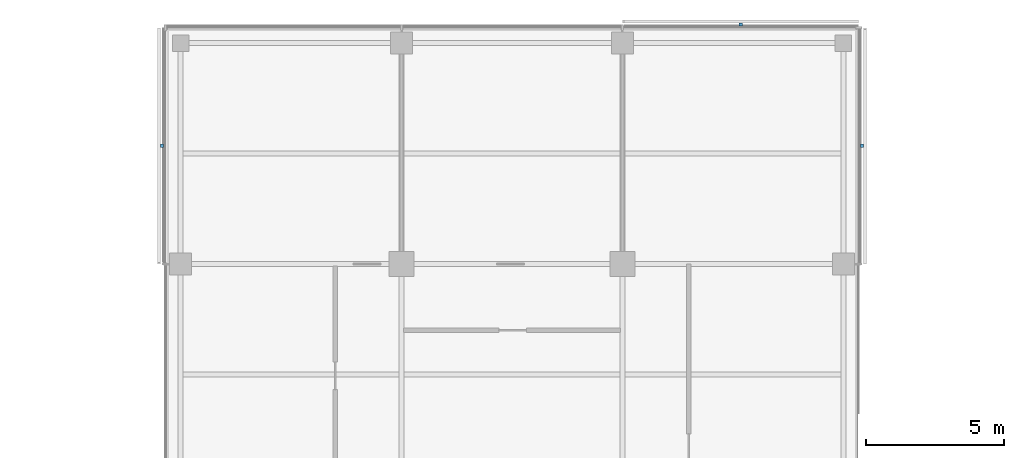
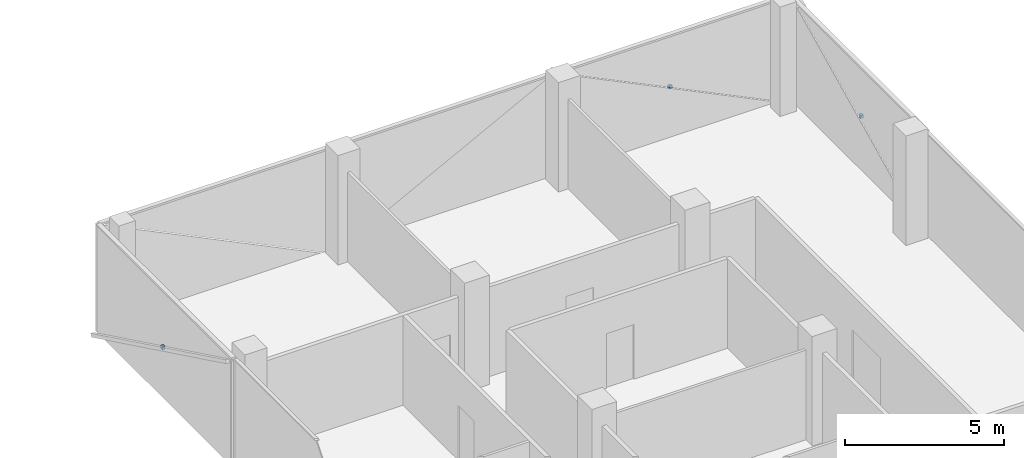
# One storey, part 14 of 15: 3 discrete accessories.
"""IFC4 building model written with IfcOpenShell, lengths in metres."""

from ifc_helpers import new_model, si_unit, direction, frame, origin, origin_2d, place, context, subcontext, project, spatial, rectangle, extrude, material, type_object, element, save


model = new_model("IFC4")

# Units and contexts
model_context = context("Model", 3, precision=1e-05, world=origin(), true_north=direction((0.0, 1.0)))
body_context = subcontext(model_context, "Body", "Model", "MODEL_VIEW")
ifc_project = project(units=[si_unit("LENGTHUNIT", "METRE"), si_unit("AREAUNIT", "SQUARE_METRE"), si_unit("VOLUMEUNIT", "CUBIC_METRE"), si_unit("PLANEANGLEUNIT", "RADIAN"), si_unit("MASSUNIT", "GRAM", prefix="KILO")], contexts=[model_context])

# Site, building, storey
site_placement = place(None, origin())
site = spatial("IfcSite", under=ifc_project, at=site_placement, CompositionType="ELEMENT")
building_placement = place(site_placement, origin())
building = spatial("IfcBuilding", under=site, at=building_placement, Name="Crosswind Convention Tower", CompositionType="ELEMENT")
storey_placement = place(building_placement, frame((0.0, 0.0, 183.10009765625)))
storey = spatial("IfcBuildingStorey", under=building, at=storey_placement, Name="L38", CompositionType="ELEMENT", Elevation=183.10009765625)

# Discrete accessories
ifc_material = material(Name="Stainless steel", Category="steel")
discrete_accessory_type = type_object("IfcDiscreteAccessoryType", Name="BAGUETTE BRACKET BK3", PredefinedType="BRACKET", material=ifc_material)
for number, where, z_axis, x_axis, name in (
    (1, (137.676025390625, 124.280029296875, 1.704833984375), (0.0, 0.0, 1.0), (0.0, 1.0, 0.0), "BK3 baguette bracket"),
    (2, (133.280029296875, 128.676025390625, 1.704833984375), (0.0, 0.0, 1.0), (-1.0, 0.0, 0.0), "BK3 baguette bracket"),
    (3, (112.323974609375, 124.280029296875, 1.704833984375), (0.0, 0.0, 1.0), (0.0, -1.0, 0.0), "BK3 baguette bracket"),
):
    element("IfcDiscreteAccessory", number, at=place(storey_placement, frame(where, z_axis=z_axis, x_axis=x_axis)), inside=storey, type_object=discrete_accessory_type, Name=name, PredefinedType="BRACKET", context=body_context, shape_type="SweptSolid", body=[
        extrude(rectangle(XDim=0.1201171875, YDim=0.10009765625, at=origin_2d()), origin(), (0.0, 0.0, 1.0), 0.1201171875),
    ])

save(model, "model.ifc")
